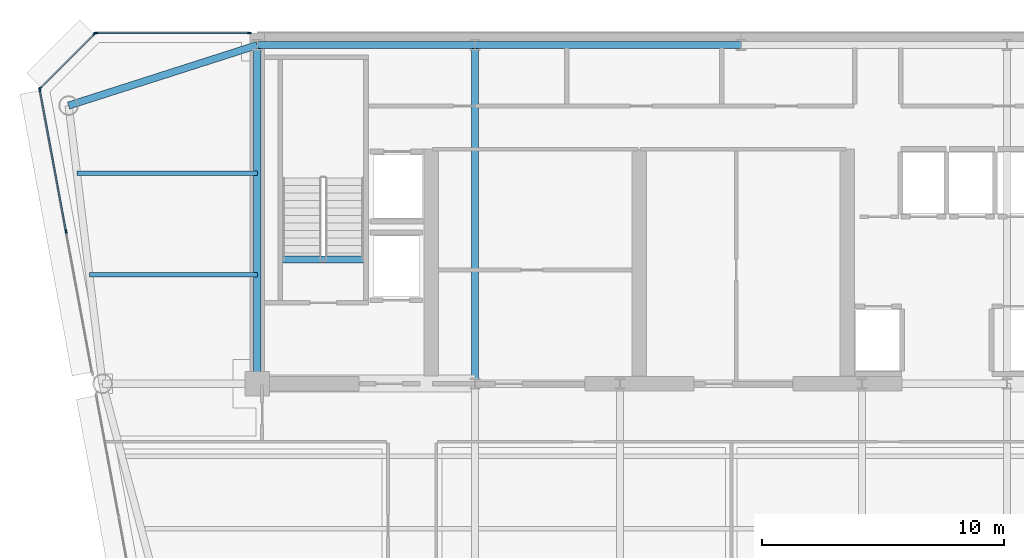
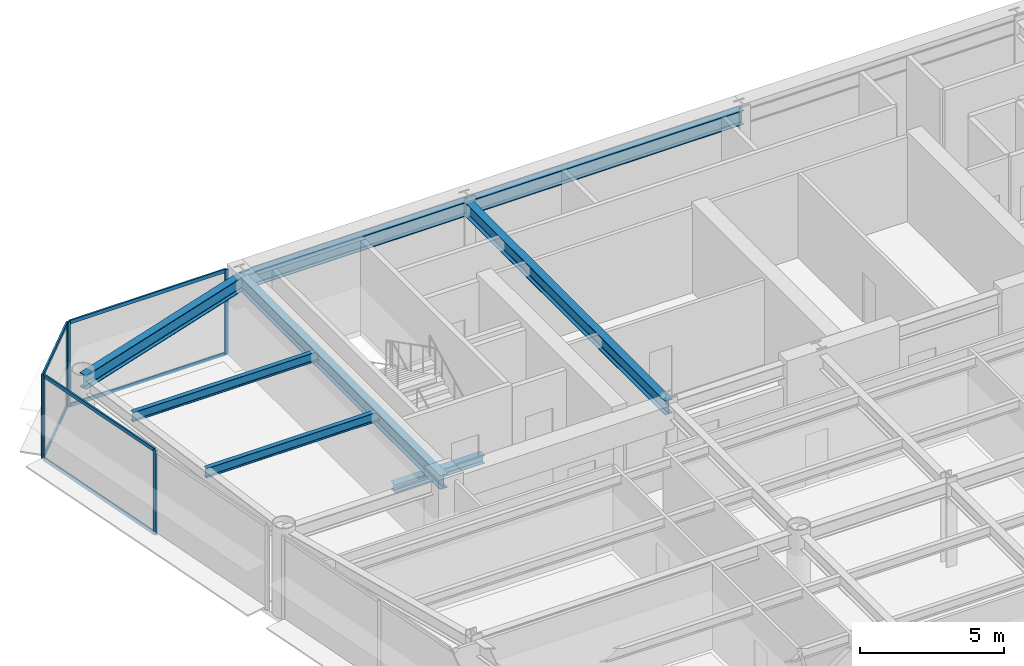
# One storey, part 8 of 16: 12 members, 8 beams, 3 elements without a shape of their own.
"""IFC4 building model written with IfcOpenShell, lengths in metres."""

from ifc_helpers import new_model, si_unit, direction, frame, origin, origin_2d, place, context, subcontext, project, spatial, rectangle, i_section, extrude, source, transform, mapped, material, layer, layer_set, material_profile, profile_set, type_object, element, aggregate, save


model = new_model("IFC4")

# Units and contexts
model_context = context("Model", 3, precision=1e-05, world=origin(), true_north=direction((0.0, 1.0)))
body_context = subcontext(model_context, "Body", "Model", "MODEL_VIEW")
ifc_project = project(units=[si_unit("LENGTHUNIT", "METRE"), si_unit("AREAUNIT", "SQUARE_METRE"), si_unit("VOLUMEUNIT", "CUBIC_METRE"), si_unit("PLANEANGLEUNIT", "RADIAN"), si_unit("MASSUNIT", "GRAM", prefix="KILO")], contexts=[model_context])

# Site, building, storey
site_placement = place(None, origin())
site = spatial("IfcSite", under=ifc_project, at=site_placement, CompositionType="ELEMENT")
building_placement = place(site_placement, origin())
building = spatial("IfcBuilding", under=site, at=building_placement, Name="Vaeldorn Concourse Tower", CompositionType="ELEMENT")
storey_placement = place(building_placement, frame((0.0, 0.0, 210.800048828125)))
storey = spatial("IfcBuildingStorey", under=building, at=storey_placement, Name="L54", CompositionType="ELEMENT", Elevation=210.800048828125)

# Beams
ifc_material_1 = material(Name="Steel S355", Category="steel")
ifc_material_profile_1 = material_profile(ifc_material_1, i_section(OverallWidth=0.300048828125, OverallDepth=0.340087890625, WebThickness=0.011962890625, FlangeThickness=0.021484375, FilletRadius=0.027099609375, at=origin_2d()), Name="HEB 340")
ifc_profile_set_1 = profile_set([ifc_material_profile_1], Name="Steel S355")
beam_type_1 = type_object("IfcBeamType", Name="BM-ST-TRIM", PredefinedType="BEAM", material=ifc_profile_set_1)
shared_shape_1 = source(origin(), body_context, "Body", "SweptSolid", [
    extrude(i_section(OverallWidth=0.300048828125, OverallDepth=0.340087890625, WebThickness=0.011962890625, FlangeThickness=0.021484375, FilletRadius=0.027099609375, at=origin_2d()), origin(), (0.0, 0.0, 1.0), 3.590087890625),
])
beam_1_placement = place(storey_placement, frame((14.929931640625, 41.639892578125, -0.39013671875), z_axis=(1.0, 0.0, 0.0), x_axis=(0.0, 1.0, 0.0)))
element("IfcBeam", 1, at=beam_1_placement, inside=storey, type_object=beam_type_1, Name="Stair Landing Trimmer Beam ST-1 L54", PredefinedType="BEAM", context=body_context, shape_type="MappedRepresentation", body=[
    mapped(shared_shape_1, transform((0.0, 0.0, 0.0), scale=1.0)),
])
ifc_material_profile_2 = material_profile(ifc_material_1, i_section(OverallWidth=0.300048828125, OverallDepth=0.60009765625, WebThickness=0.015380859375, FlangeThickness=0.030029296875, FilletRadius=0.027099609375, at=origin_2d()), Name="HEB 600")
ifc_profile_set_2 = profile_set([ifc_material_profile_2], Name="Steel S355")
beam_type_2 = type_object("IfcBeamType", Name="BM-PG-HEB600", PredefinedType="BEAM", material=ifc_profile_set_2)
shared_shape_2 = source(origin(), body_context, "Body", "SweptSolid", [
    extrude(i_section(OverallWidth=0.300048828125, OverallDepth=0.60009765625, WebThickness=0.015380859375, FlangeThickness=0.030029296875, FilletRadius=0.027099609375, at=origin_2d()), origin(), (0.0, 0.0, 1.0), 9.0),
])
beam_2_placement = place(storey_placement, frame((14.0, 50.5, 3.280029296875), z_axis=(1.0, 0.0, 0.0), x_axis=(0.0, 1.0, 0.0)))
element("IfcBeam", 2, at=beam_2_placement, inside=storey, type_object=beam_type_2, Name="Beam BM-L54-C-HC1-C-HC2", PredefinedType="BEAM", context=body_context, shape_type="MappedRepresentation", body=[
    mapped(shared_shape_2, transform((0.0, 0.0, 0.0), scale=1.0)),
])
shared_shape_3 = source(origin(), body_context, "Body", "SweptSolid", [
    extrude(i_section(OverallWidth=0.300048828125, OverallDepth=0.60009765625, WebThickness=0.015380859375, FlangeThickness=0.030029296875, FilletRadius=0.027099609375, at=origin_2d()), origin(), (0.0, 0.0, 1.0), 11.0),
])
beam_3_placement = place(storey_placement, frame((23.0, 50.5, 3.280029296875), z_axis=(1.0, 0.0, 0.0), x_axis=(0.0, 1.0, 0.0)))
element("IfcBeam", 3, at=beam_3_placement, inside=storey, type_object=beam_type_2, Name="Beam BM-L54-C-HC2-C-HC3", PredefinedType="BEAM", context=body_context, shape_type="MappedRepresentation", body=[
    mapped(shared_shape_3, transform((0.0, 0.0, 0.0), scale=1.0)),
])
shared_shape_4 = source(origin(), body_context, "Body", "SweptSolid", [
    extrude(i_section(OverallWidth=0.300048828125, OverallDepth=0.60009765625, WebThickness=0.015380859375, FlangeThickness=0.030029296875, FilletRadius=0.027099609375, at=origin_2d()), origin(), (0.0, 0.0, 1.0), 14.0),
])
for number, where, z_axis, x_axis, name in (
    (4, (14.0, 36.5, 3.280029296875), (0.0, 1.0, 0.0), (-1.0, 0.0, 0.0), "Beam BM-L54-C-FC1-C-HC1"),
    (5, (23.0, 36.5, 3.280029296875), (0.0, 1.0, 0.0), (-1.0, 0.0, 0.0), "Beam BM-L54-C-FC2-C-HC2"),
):
    element("IfcBeam", number, at=place(storey_placement, frame(where, z_axis=z_axis, x_axis=x_axis)), inside=storey, type_object=beam_type_2, Name=name, PredefinedType="BEAM", context=body_context, shape_type="MappedRepresentation", body=[
        mapped(shared_shape_4, transform((0.0, 0.0, 0.0), scale=1.0)),
    ])
shared_shape_5 = source(origin(), body_context, "Body", "SweptSolid", [
    extrude(i_section(OverallWidth=0.300048828125, OverallDepth=0.60009765625, WebThickness=0.015380859375, FlangeThickness=0.030029296875, FilletRadius=0.027099609375, at=origin_2d()), origin(), (0.0, 0.0, 1.0), 8.19091796875),
])
beam_4_placement = place(storey_placement, frame((6.199951171875, 48.0, 3.280029296875), z_axis=(0.952282843383, 0.305216949396, 0.0), x_axis=(-0.305216949396, 0.952282843383, 0.0)))
element("IfcBeam", 6, at=beam_4_placement, inside=storey, type_object=beam_type_2, Name="Beam BM-L54-C-NW1-C-HC1", PredefinedType="BEAM", context=body_context, shape_type="MappedRepresentation", body=[
    mapped(shared_shape_5, transform((0.0, 0.0, 0.0), scale=1.0)),
])
ifc_material_profile_3 = material_profile(ifc_material_1, i_section(OverallWidth=0.179931640625, OverallDepth=0.39990234375, WebThickness=0.008544921875, FlangeThickness=0.013427734375, FilletRadius=0.02099609375, at=origin_2d()), Name="IPE 400")
ifc_profile_set_3 = profile_set([ifc_material_profile_3], Name="Steel S355")
beam_type_3 = type_object("IfcBeamType", Name="BM-JS-IPE400", PredefinedType="JOIST", material=ifc_profile_set_3)
shared_shape_6 = source(origin(), body_context, "Body", "SweptSolid", [
    extrude(i_section(OverallWidth=0.179931640625, OverallDepth=0.39990234375, WebThickness=0.008544921875, FlangeThickness=0.013427734375, FilletRadius=0.02099609375, at=origin_2d()), origin(), (0.0, 0.0, 1.0), 6.94775390625),
])
beam_5_placement = place(storey_placement, frame((7.05224609375, 41.0, 3.3798828125), z_axis=(1.0, 0.0, 0.0), x_axis=(0.0, 1.0, 0.0)))
element("IfcBeam", 7, at=beam_5_placement, inside=storey, type_object=beam_type_3, Name="Beam JS-L54-NW-410", PredefinedType="JOIST", context=body_context, shape_type="MappedRepresentation", body=[
    mapped(shared_shape_6, transform((0.0, 0.0, 0.0), scale=1.0)),
])
shared_shape_7 = source(origin(), body_context, "Body", "SweptSolid", [
    extrude(i_section(OverallWidth=0.179931640625, OverallDepth=0.39990234375, WebThickness=0.008544921875, FlangeThickness=0.013427734375, FilletRadius=0.02099609375, at=origin_2d()), origin(), (0.0, 0.0, 1.0), 7.458984375),
])
beam_6_placement = place(storey_placement, frame((6.541015625, 45.199951171875, 3.3798828125), z_axis=(1.0, 0.0, 0.0), x_axis=(0.0, 1.0, 0.0)))
element("IfcBeam", 8, at=beam_6_placement, inside=storey, type_object=beam_type_3, Name="Beam JS-L54-NW-452", PredefinedType="JOIST", context=body_context, shape_type="MappedRepresentation", body=[
    mapped(shared_shape_7, transform((0.0, 0.0, 0.0), scale=1.0)),
])

# Curtain wall, members
ifc_material_2 = material(Name="Anodised Bronze Aluminium", Category="aluminium")
ifc_layer = layer(ifc_material_2, 0.18994140625)
ifc_layer_set = layer_set([ifc_layer], Name="Anodised Bronze Aluminium")
curtain_wall_type = type_object("IfcCurtainWallType", Name="CW-SYS-03", PredefinedType="NOTDEFINED", material=ifc_layer_set)
curtain_wall_1_placement = place(storey_placement, origin())
curtain_wall_1 = element("IfcCurtainWall", 9, at=curtain_wall_1_placement, inside=storey, type_object=curtain_wall_type, Name="Unitised Curtain Wall CW-L54-E09-2", PredefinedType="NOTDEFINED")
ifc_material_profile_4 = material_profile(ifc_material_2, rectangle(XDim=0.06494140625, YDim=0.169921875, at=origin_2d()), Name="CWM 65x170")
ifc_profile_set_4 = profile_set([ifc_material_profile_4], Name="Anodised Bronze Aluminium")
member_type_1 = type_object("IfcMemberType", Name="CWM-BRONZE-170", PredefinedType="MULLION", material=ifc_profile_set_4)
shared_shape_8 = source(origin(), body_context, "Body", "SweptSolid", [
    extrude(rectangle(XDim=0.06494140625, YDim=0.169921875, at=origin_2d()), origin(), (0.0, 0.0, 1.0), 3.579833984375),
])
member_1_placement = place(storey_placement, frame((13.672607421875, 51.0, 0.0), z_axis=(0.0, 0.0, 1.0), x_axis=(0.0, -1.0, 0.0)))
member_1 = element("IfcMember", 10, at=member_1_placement, type_object=member_type_1, Name="CW-03 mullion 1", PredefinedType="MULLION", context=body_context, shape_type="MappedRepresentation", body=[
    mapped(shared_shape_8, transform((0.0, 0.0, 0.0), scale=1.0)),
])
member_2_placement = place(storey_placement, frame((7.33251953125, 51.0, 0.0), z_axis=(0.0, 0.0, 1.0), x_axis=(0.0, -1.0, 0.0)))
member_2 = element("IfcMember", 11, at=member_2_placement, type_object=member_type_1, Name="CW-03 mullion 2", PredefinedType="MULLION", context=body_context, shape_type="MappedRepresentation", body=[
    mapped(shared_shape_8, transform((0.0, 0.0, 0.0), scale=1.0)),
])

curtain_wall_2_placement = place(storey_placement, origin())
curtain_wall_2 = element("IfcCurtainWall", 12, at=curtain_wall_2_placement, inside=storey, type_object=curtain_wall_type, Name="Unitised Curtain Wall CW-L54-E10-1", PredefinedType="NOTDEFINED")
member_3_placement = place(storey_placement, frame((7.277099609375, 50.97705078125, 0.0), z_axis=(0.0, 0.0, 1.0), x_axis=(0.707106781187, -0.707106781187, 0.0)))
member_3 = element("IfcMember", 13, at=member_3_placement, type_object=member_type_1, Name="CW-03 mullion 1", PredefinedType="MULLION", context=body_context, shape_type="MappedRepresentation", body=[
    mapped(shared_shape_8, transform((0.0, 0.0, 0.0), scale=1.0)),
])
member_4_placement = place(storey_placement, frame((5.02294921875, 48.722900390625, 0.0), z_axis=(0.0, 0.0, 1.0), x_axis=(0.707106781187, -0.707106781187, 0.0)))
member_4 = element("IfcMember", 14, at=member_4_placement, type_object=member_type_1, Name="CW-03 mullion 2", PredefinedType="MULLION", context=body_context, shape_type="MappedRepresentation", body=[
    mapped(shared_shape_8, transform((0.0, 0.0, 0.0), scale=1.0)),
])

curtain_wall_3_placement = place(storey_placement, origin())
curtain_wall_3 = element("IfcCurtainWall", 15, at=curtain_wall_3_placement, inside=storey, type_object=curtain_wall_type, Name="Unitised Curtain Wall CW-L54-E11-1", PredefinedType="NOTDEFINED")
member_5_placement = place(storey_placement, frame((5.005859375, 48.66796875, 0.0), z_axis=(0.0, 0.0, 1.0), x_axis=(0.983319270992, 0.181887908602, 0.0)))
member_5 = element("IfcMember", 16, at=member_5_placement, type_object=member_type_1, Name="CW-03 mullion 1", PredefinedType="MULLION", context=body_context, shape_type="MappedRepresentation", body=[
    mapped(shared_shape_8, transform((0.0, 0.0, 0.0), scale=1.0)),
])
member_6_placement = place(storey_placement, frame((6.091796875, 42.7978515625, 0.0), z_axis=(0.0, 0.0, 1.0), x_axis=(0.983319270992, 0.181887908602, 0.0)))
member_6 = element("IfcMember", 17, at=member_6_placement, type_object=member_type_1, Name="CW-03 mullion 2", PredefinedType="MULLION", context=body_context, shape_type="MappedRepresentation", body=[
    mapped(shared_shape_8, transform((0.0, 0.0, 0.0), scale=1.0)),
])

# Member
ifc_material_profile_5 = material_profile(ifc_material_2, rectangle(XDim=0.06494140625, YDim=0.14990234375, at=origin_2d()), Name="CWT 65x150")
ifc_profile_set_5 = profile_set([ifc_material_profile_5], Name="Anodised Bronze Aluminium")
member_type_2 = type_object("IfcMemberType", Name="CWT-BRONZE-150", PredefinedType="USERDEFINED", material=ifc_profile_set_5)
shared_shape_9 = source(origin(), body_context, "Body", "SweptSolid", [
    extrude(rectangle(XDim=0.06494140625, YDim=0.14990234375, at=origin_2d()), origin(), (0.0, 0.0, 1.0), 3.123046875),
])
member_7_placement = place(storey_placement, frame((7.254150390625, 50.9541015625, 0.032470703125), z_axis=(-0.707106781187, -0.707106781187, 0.0), x_axis=(0.707106781187, -0.707106781187, 0.0)))
member_7 = element("IfcMember", 18, at=member_7_placement, type_object=member_type_2, Name="CW-03 transom 1.1", ObjectType="TRANSOM", PredefinedType="USERDEFINED", context=body_context, shape_type="MappedRepresentation", body=[
    mapped(shared_shape_9, transform((0.0, 0.0, 0.0), scale=1.0)),
])

member_8_placement = place(storey_placement, frame((7.254150390625, 50.9541015625, 3.54736328125), z_axis=(-0.707106781187, -0.707106781187, 0.0), x_axis=(0.707106781187, -0.707106781187, 0.0)))
member_8 = element("IfcMember", 19, at=member_8_placement, type_object=member_type_2, Name="CW-03 transom 1.2", ObjectType="TRANSOM", PredefinedType="USERDEFINED", context=body_context, shape_type="MappedRepresentation", body=[
    mapped(shared_shape_9, transform((0.0, 0.0, 0.0), scale=1.0)),
])

aggregate(curtain_wall_2, [member_3, member_4, member_7, member_8])

shared_shape_10 = source(origin(), body_context, "Body", "SweptSolid", [
    extrude(rectangle(XDim=0.06494140625, YDim=0.14990234375, at=origin_2d()), origin(), (0.0, 0.0, 1.0), 6.27490234375),
])
member_9_placement = place(storey_placement, frame((13.639892578125, 51.0, 0.032470703125), z_axis=(-1.0, 0.0, 0.0), x_axis=(0.0, -1.0, 0.0)))
member_9 = element("IfcMember", 20, at=member_9_placement, type_object=member_type_2, Name="CW-03 transom 1.1", ObjectType="TRANSOM", PredefinedType="USERDEFINED", context=body_context, shape_type="MappedRepresentation", body=[
    mapped(shared_shape_10, transform((0.0, 0.0, 0.0), scale=1.0)),
])

member_10_placement = place(storey_placement, frame((13.639892578125, 51.0, 3.54736328125), z_axis=(-1.0, 0.0, 0.0), x_axis=(0.0, -1.0, 0.0)))
member_10 = element("IfcMember", 21, at=member_10_placement, type_object=member_type_2, Name="CW-03 transom 1.2", ObjectType="TRANSOM", PredefinedType="USERDEFINED", context=body_context, shape_type="MappedRepresentation", body=[
    mapped(shared_shape_10, transform((0.0, 0.0, 0.0), scale=1.0)),
])

aggregate(curtain_wall_1, [member_1, member_2, member_9, member_10])

shared_shape_11 = source(origin(), body_context, "Body", "SweptSolid", [
    extrude(rectangle(XDim=0.06494140625, YDim=0.14990234375, at=origin_2d()), origin(), (0.0, 0.0, 1.0), 5.90478515625),
])
member_11_placement = place(storey_placement, frame((5.01171875, 48.635986328125, 0.032470703125), z_axis=(0.181926392545, -0.983312151707, 0.0), x_axis=(0.983312151707, 0.181926392545, 0.0)))
member_11 = element("IfcMember", 22, at=member_11_placement, type_object=member_type_2, Name="CW-03 transom 1.1", ObjectType="TRANSOM", PredefinedType="USERDEFINED", context=body_context, shape_type="MappedRepresentation", body=[
    mapped(shared_shape_11, transform((0.0, 0.0, 0.0), scale=1.0)),
])

member_12_placement = place(storey_placement, frame((5.01171875, 48.635986328125, 3.54736328125), z_axis=(0.181926392545, -0.983312151707, 0.0), x_axis=(0.983312151707, 0.181926392545, 0.0)))
member_12 = element("IfcMember", 23, at=member_12_placement, type_object=member_type_2, Name="CW-03 transom 1.2", ObjectType="TRANSOM", PredefinedType="USERDEFINED", context=body_context, shape_type="MappedRepresentation", body=[
    mapped(shared_shape_11, transform((0.0, 0.0, 0.0), scale=1.0)),
])

aggregate(curtain_wall_3, [member_5, member_6, member_11, member_12])

save(model, "model.ifc")
